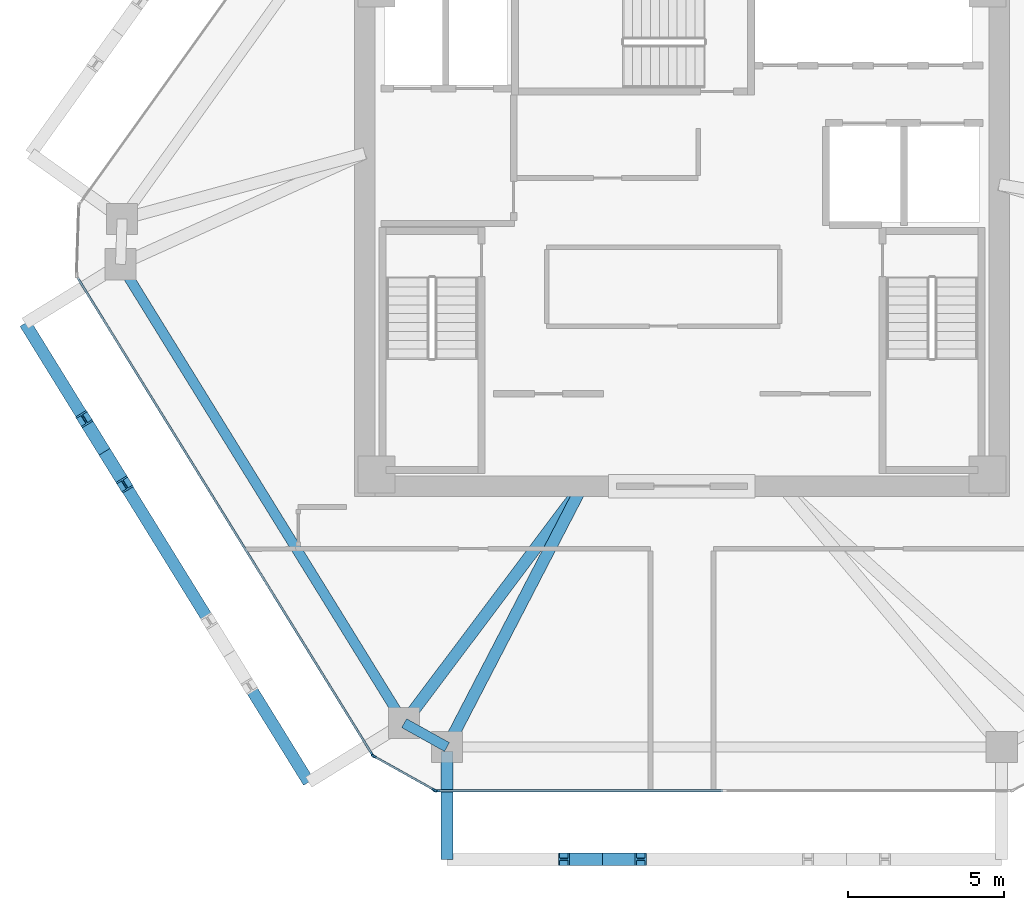
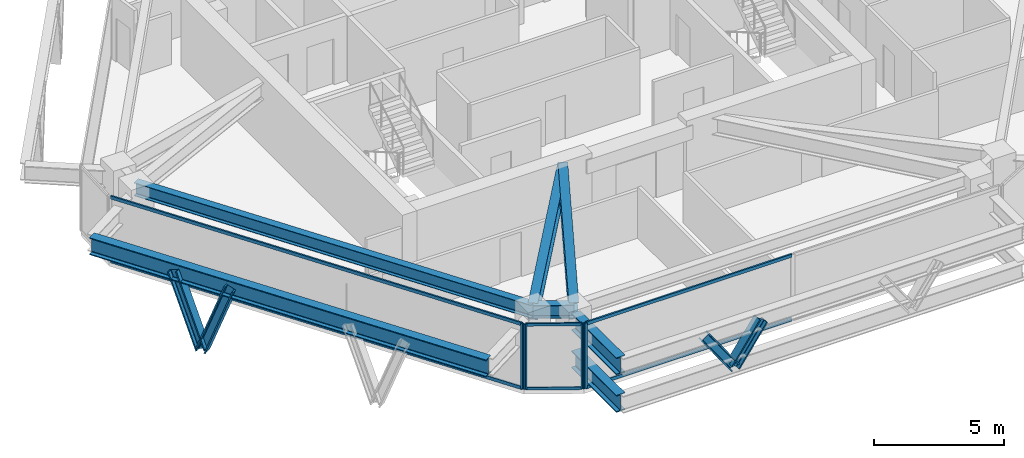
# One storey, part 2 of 11: 14 members, 7 beams, 3 elements without a shape of their own.
"""IFC4 building model written with IfcOpenShell, lengths in metres."""

from ifc_helpers import new_model, si_unit, direction, frame, origin, origin_2d, place, context, subcontext, project, spatial, rectangle, i_section, extrude, source, transform, mapped, material, layer, layer_set, material_profile, profile_set, type_object, type_shapes, element, aggregate, save


model = new_model("IFC4")

# Units and contexts
model_context = context("Model", 3, precision=1e-05, world=origin(), true_north=direction((0.0, 1.0)))
body_context = subcontext(model_context, "Body", "Model", "MODEL_VIEW")
ifc_project = project(units=[si_unit("LENGTHUNIT", "METRE"), si_unit("AREAUNIT", "SQUARE_METRE"), si_unit("VOLUMEUNIT", "CUBIC_METRE"), si_unit("PLANEANGLEUNIT", "RADIAN"), si_unit("MASSUNIT", "GRAM", prefix="KILO")], contexts=[model_context])

# Site, building, storey
site_placement = place(None, origin())
site = spatial("IfcSite", under=ifc_project, at=site_placement, CompositionType="ELEMENT")
building_placement = place(site_placement, origin())
building = spatial("IfcBuilding", under=site, at=building_placement, Name="Durnholm Broadcast Tower", CompositionType="ELEMENT")
storey_placement = place(building_placement, frame((0.0, 0.0, 170.5)))
storey = spatial("IfcBuildingStorey", under=building, at=storey_placement, Name="L46", CompositionType="ELEMENT", Elevation=170.5)

# Beams
ifc_material_1 = material(Name="Steel ASTM A992 Grade 50", Category="steel")
ifc_material_profile_1 = material_profile(ifc_material_1, i_section(OverallWidth=0.385009765625, OverallDepth=0.802978515625, WebThickness=0.023681640625, FlangeThickness=0.0419921875, FilletRadius=0.032958984375, at=origin_2d()), Name="W30X261")
ifc_profile_set_1 = profile_set([ifc_material_profile_1], Name="Steel ASTM A992 Grade 50")
beam_type_1 = type_object("IfcBeamType", Name="BM-EXO-TIE", PredefinedType="USERDEFINED", material=ifc_profile_set_1)
shared_shape_1 = source(origin(), body_context, "Body", "SweptSolid", [
    extrude(i_section(OverallWidth=0.385009765625, OverallDepth=0.802978515625, WebThickness=0.023681640625, FlangeThickness=0.0419921875, FilletRadius=0.032958984375, at=origin_2d()), origin(), (0.0, 0.0, 1.0), 3.4560546875),
])
for number, where, z_axis, x_axis, name in (
    (1, (-7.53955078125, -16.68603515625, 0.550048828125), (0.0, -1.0, 0.0), (1.0, 0.0, 0.0), "L46 zone-base exoskeleton stand-off tie bracket F1.1"),
    (2, (-7.53955078125, -16.68603515625, 2.30859375), (0.0, -1.0, 0.0), (1.0, 0.0, 0.0), "L46 exoskeleton stand-off tie bracket F1.1"),
):
    element("IfcBeam", number, at=place(storey_placement, frame(where, z_axis=z_axis, x_axis=x_axis)), inside=storey, type_object=beam_type_1, Name=name, ObjectType="GIRDER", PredefinedType="USERDEFINED", context=body_context, shape_type="MappedRepresentation", body=[
        mapped(shared_shape_1, transform((0.0, 0.0, 0.0), x_axis=(1.0, 0.0, 0.0), y_axis=(0.0, 1.0, 0.0), z_axis=(0.0, 0.0, 1.0), scale=1.0)),
    ])
ifc_material_profile_2 = material_profile(ifc_material_1, i_section(OverallWidth=0.3251953125, OverallDepth=0.6162109375, WebThickness=0.013916015625, FlangeThickness=0.021484375, FilletRadius=0.02783203125, at=origin_2d()), Name="W24X117")
ifc_profile_set_2 = profile_set([ifc_material_profile_2], Name="Steel ASTM A992 Grade 50")
beam_type_2 = type_object("IfcBeamType", Name="STL-SP-W24X117", PredefinedType="SPANDREL", material=ifc_profile_set_2)
shared_shape_2 = source(origin(), body_context, "Body", "SweptSolid", [
    extrude(i_section(OverallWidth=0.3251953125, OverallDepth=0.6162109375, WebThickness=0.013916015625, FlangeThickness=0.021484375, FilletRadius=0.02783203125, at=origin_2d()), origin(), (0.0, 0.0, 1.0), 17.3037109375),
])
beam_1_placement = place(storey_placement, frame((-8.91259765625, -15.7763671875, 2.73681640625), z_axis=(-0.525695324718, 0.850672925142, 0.0), x_axis=(-0.850672925142, -0.525695324718, 0.0)))
element("IfcBeam", 3, at=beam_1_placement, inside=storey, type_object=beam_type_2, Name="L46 perimeter spandrel girder 01", PredefinedType="SPANDREL", context=body_context, shape_type="MappedRepresentation", body=[
    mapped(shared_shape_2, transform((0.0, 0.0, 0.0), x_axis=(1.0, 0.0, 0.0), y_axis=(0.0, 1.0, 0.0), z_axis=(0.0, 0.0, 1.0), scale=1.0)),
])
shared_shape_3 = source(origin(), body_context, "Body", "SweptSolid", [
    extrude(i_section(OverallWidth=0.3251953125, OverallDepth=0.6162109375, WebThickness=0.013916015625, FlangeThickness=0.021484375, FilletRadius=0.02783203125, at=origin_2d()), origin(), (0.0, 0.0, 1.0), 1.572021484375),
])
type_shapes(beam_type_2, [shared_shape_2, shared_shape_3])
beam_2_placement = place(storey_placement, frame((-7.53955078125, -16.5419921875, 2.73681640625), z_axis=(-0.873394362663, 0.487013641769, 0.0), x_axis=(-0.487013641769, -0.873394362663, 0.0)))
element("IfcBeam", 4, at=beam_2_placement, inside=storey, type_object=beam_type_2, Name="L46 perimeter spandrel girder 12", PredefinedType="SPANDREL", context=body_context, shape_type="MappedRepresentation", body=[
    mapped(shared_shape_3, transform((0.0, 0.0, 0.0), x_axis=(1.0, 0.0, 0.0), y_axis=(0.0, 1.0, 0.0), z_axis=(0.0, 0.0, 1.0), scale=1.0)),
])
shared_shape_4 = source(origin(), body_context, "Body", "SweptSolid", [
    extrude(i_section(OverallWidth=0.385009765625, OverallDepth=0.802978515625, WebThickness=0.023681640625, FlangeThickness=0.0419921875, FilletRadius=0.032958984375, at=origin_2d()), origin(), (0.0, 0.0, 1.0), 17.303466796875),
])
type_shapes(beam_type_1, [shared_shape_1, shared_shape_4])
beam_3_placement = place(storey_placement, frame((-21.071533203125, -2.94921875, 2.30859375), z_axis=(0.525701634347, -0.850669025911, 0.0), x_axis=(0.850669025911, 0.525701634347, 0.0)))
element("IfcBeam", 5, at=beam_3_placement, inside=storey, type_object=beam_type_1, Name="L46 exoskeleton collector spandrel F6", PredefinedType="SPANDREL", context=body_context, shape_type="MappedRepresentation", body=[
    mapped(shared_shape_4, transform((0.0, 0.0, 0.0), x_axis=(1.0, 0.0, 0.0), y_axis=(0.0, 1.0, 0.0), z_axis=(0.0, 0.0, 1.0), scale=1.0)),
])
ifc_material_profile_3 = material_profile(ifc_material_1, i_section(OverallWidth=0.380615234375, OverallDepth=0.773193359375, WebThickness=0.0166015625, FlangeThickness=0.027099609375, FilletRadius=0.032958984375, at=origin_2d()), Name="W30X173")
ifc_profile_set_3 = profile_set([ifc_material_profile_3], Name="Steel ASTM A992 Grade 50")
beam_type_3 = type_object("IfcBeamType", Name="STL-GR-W30X173", PredefinedType="USERDEFINED", material=ifc_profile_set_3)
shared_shape_5 = source(origin(), body_context, "Body", "SweptSolid", [
    extrude(i_section(OverallWidth=0.380615234375, OverallDepth=0.773193359375, WebThickness=0.0166015625, FlangeThickness=0.027099609375, FilletRadius=0.032958984375, at=origin_2d()), origin(), (0.0, 0.0, 1.0), 9.508544921875),
])
beam_4_placement = place(storey_placement, frame((-3.199951171875, -8.175048828125, 2.658447265625), z_axis=(-0.600784359039, -0.799411129479, 0.0), x_axis=(0.799411129479, -0.600784359039, 0.0)))
element("IfcBeam", 6, at=beam_4_placement, inside=storey, type_object=beam_type_3, Name="L46 radial primary floor girder 01", ObjectType="GIRDER", PredefinedType="USERDEFINED", context=body_context, shape_type="MappedRepresentation", body=[
    mapped(shared_shape_5, transform((0.0, 0.0, 0.0), x_axis=(1.0, 0.0, 0.0), y_axis=(0.0, 1.0, 0.0), z_axis=(0.0, 0.0, 1.0), scale=1.0)),
])
shared_shape_6 = source(origin(), body_context, "Body", "SweptSolid", [
    extrude(i_section(OverallWidth=0.380615234375, OverallDepth=0.773193359375, WebThickness=0.0166015625, FlangeThickness=0.027099609375, FilletRadius=0.032958984375, at=origin_2d()), origin(), (0.0, 0.0, 1.0), 9.42529296875),
])
type_shapes(beam_type_3, [shared_shape_5, shared_shape_6])
beam_5_placement = place(storey_placement, frame((-3.199951171875, -8.175048828125, 2.658447265625), z_axis=(-0.460416206992, -0.887703169048, 0.0), x_axis=(0.887703169048, -0.460416206992, 0.0)))
element("IfcBeam", 7, at=beam_5_placement, inside=storey, type_object=beam_type_3, Name="L46 radial primary floor girder 12", ObjectType="GIRDER", PredefinedType="USERDEFINED", context=body_context, shape_type="MappedRepresentation", body=[
    mapped(shared_shape_6, transform((0.0, 0.0, 0.0), x_axis=(1.0, 0.0, 0.0), y_axis=(0.0, 1.0, 0.0), z_axis=(0.0, 0.0, 1.0), scale=1.0)),
])

# Members
ifc_material_2 = material(Name="Steel ASTM A913 Grade 65", Category="steel")
ifc_material_profile_4 = material_profile(ifc_material_2, i_section(OverallWidth=0.412109375, OverallDepth=0.434814453125, WebThickness=0.035888671875, FlangeThickness=0.057373046875, FilletRadius=0.030517578125, at=origin_2d()), Name="W14X311")
ifc_profile_set_4 = profile_set([ifc_material_profile_4], Name="Steel ASTM A913 Grade 65")
member_type_1 = type_object("IfcMemberType", Name="STL-DG-W14X311", PredefinedType="BRACE", material=ifc_profile_set_4)
shared_shape_7 = source(origin(), body_context, "Body", "SweptSolid", [
    extrude(i_section(OverallWidth=0.412109375, OverallDepth=0.434814453125, WebThickness=0.035888671875, FlangeThickness=0.057373046875, FilletRadius=0.030517578125, at=origin_2d()), origin(), (0.0, 0.0, 1.0), 3.523193359375),
])
for number, where, z_axis, x_axis, name in (
    (8, (-18.5244140625, -7.07080078125, -0.991455078125), (-0.18411903749, 0.297902800967, 0.936671821509), (-0.850644447398, -0.525741404219, 0.0), "L46 stand-off diagrid brace F6.D1.1"),
    (9, (-18.5244140625, -7.07080078125, -0.991455078125), (0.184052089489, -0.297906601172, 0.936683770188), (0.850732935913, 0.525598203719, 0.0), "L46 stand-off diagrid brace F6.D1.2"),
):
    element("IfcMember", number, at=place(storey_placement, frame(where, z_axis=z_axis, x_axis=x_axis)), inside=storey, type_object=member_type_1, Name=name, PredefinedType="BRACE", context=body_context, shape_type="MappedRepresentation", body=[
        mapped(shared_shape_7, transform((0.0, 0.0, 0.0), x_axis=(1.0, 0.0, 0.0), y_axis=(0.0, 1.0, 0.0), z_axis=(0.0, 0.0, 1.0), scale=1.0)),
    ])
shared_shape_8 = source(origin(), body_context, "Body", "SweptSolid", [
    extrude(i_section(OverallWidth=0.412109375, OverallDepth=0.434814453125, WebThickness=0.035888671875, FlangeThickness=0.057373046875, FilletRadius=0.030517578125, at=origin_2d()), origin(), (0.0, 0.0, 1.0), 2.148193359375),
])
type_shapes(member_type_1, [shared_shape_7, shared_shape_8])
for number, where, z_axis, x_axis, name in (
    (10, (-2.556640625, -20.14208984375, 0.550048828125), (-0.574293477354, 0.0, 0.818649498789), (0.0, -1.0, 0.0), "L46 stand-off diagrid brace F1.D1.1"),
    (11, (-2.556640625, -20.14208984375, 0.550048828125), (0.574369639306, 0.0, 0.818596064884), (0.0, 1.0, 0.0), "L46 stand-off diagrid brace F1.D1.2"),
):
    element("IfcMember", number, at=place(storey_placement, frame(where, z_axis=z_axis, x_axis=x_axis)), inside=storey, type_object=member_type_1, Name=name, PredefinedType="BRACE", context=body_context, shape_type="MappedRepresentation", body=[
        mapped(shared_shape_8, transform((0.0, 0.0, 0.0), x_axis=(1.0, 0.0, 0.0), y_axis=(0.0, 1.0, 0.0), z_axis=(0.0, 0.0, 1.0), scale=1.0)),
    ])

# Curtain wall, members
ifc_material_3 = material(Name="Aluminium and Solar Control IGU", Category="aluminium")
ifc_layer_1 = layer(ifc_material_3, 0.1650390625)
ifc_layer_set_1 = layer_set([ifc_layer_1], Name="Aluminium and Solar Control IGU")
curtain_wall_type_1 = type_object("IfcCurtainWallType", Name="CW-SYS-5", PredefinedType="NOTDEFINED", material=ifc_layer_set_1)
curtain_wall_1_placement = place(storey_placement, origin())
curtain_wall_1 = element("IfcCurtainWall", 12, at=curtain_wall_1_placement, inside=storey, type_object=curtain_wall_type_1, Name="L46 curtain wall CW-CORNER CW-L46-CRN-11", PredefinedType="NOTDEFINED")
ifc_material_4 = material(Name="Aluminium 6063-T6", Category="aluminium")
ifc_material_profile_5 = material_profile(ifc_material_4, rectangle(XDim=0.06494140625, YDim=0.1650390625, at=origin_2d()), Name="CWM65X165")
ifc_profile_set_5 = profile_set([ifc_material_profile_5], Name="Aluminium 6063-T6")
member_type_2 = type_object("IfcMemberType", Name="CW-SYS-5-MUL", PredefinedType="MULLION", material=ifc_profile_set_5)
shared_shape_9 = source(origin(), body_context, "Body", "SweptSolid", [
    extrude(rectangle(XDim=0.06494140625, YDim=0.1650390625, at=origin_2d()), origin(), (0.0, 0.0, 1.0), 3.06005859375),
])
type_shapes(member_type_2, [shared_shape_9])
member_1_placement = place(storey_placement, frame((-7.931884765625, -17.92626953125, 0.0), z_axis=(0.0, 0.0, 1.0), x_axis=(-0.486986043316, -0.873409751271, 0.0)))
member_1 = element("IfcMember", 13, at=member_1_placement, type_object=member_type_2, Name="CW-CORNER mullion 1", PredefinedType="MULLION", context=body_context, shape_type="MappedRepresentation", body=[
    mapped(shared_shape_9, transform((0.0, 0.0, 0.0), x_axis=(1.0, 0.0, 0.0), y_axis=(0.0, 1.0, 0.0), z_axis=(0.0, 0.0, 1.0), scale=1.0)),
])
member_2_placement = place(storey_placement, frame((-9.884033203125, -16.837646484375, 0.0), z_axis=(0.0, 0.0, 1.0), x_axis=(-0.486986043316, -0.873409751271, 0.0)))
member_2 = element("IfcMember", 14, at=member_2_placement, type_object=member_type_2, Name="CW-CORNER mullion 2", PredefinedType="MULLION", context=body_context, shape_type="MappedRepresentation", body=[
    mapped(shared_shape_9, transform((0.0, 0.0, 0.0), x_axis=(1.0, 0.0, 0.0), y_axis=(0.0, 1.0, 0.0), z_axis=(0.0, 0.0, 1.0), scale=1.0)),
])
ifc_material_profile_6 = material_profile(ifc_material_4, rectangle(XDim=0.06494140625, YDim=0.1298828125, at=origin_2d()), Name="CWT65X130")
ifc_profile_set_6 = profile_set([ifc_material_profile_6], Name="Aluminium 6063-T6")
member_type_3 = type_object("IfcMemberType", Name="CW-SYS-5-TRN", PredefinedType="USERDEFINED", material=ifc_profile_set_6)
shared_shape_10 = source(origin(), body_context, "Body", "SweptSolid", [
    extrude(rectangle(XDim=0.06494140625, YDim=0.1298828125, at=origin_2d()), origin(), (0.0, 0.0, 1.0), 2.169921875),
])
type_shapes(member_type_3, [shared_shape_10])
member_3_placement = place(storey_placement, frame((-7.960205078125, -17.910400390625, 0.032470703125), z_axis=(-0.873381360539, 0.487036958621, 0.0), x_axis=(-0.487036958621, -0.873381360539, 0.0)))
member_3 = element("IfcMember", 15, at=member_3_placement, type_object=member_type_3, Name="CW-CORNER transom 1.1", ObjectType="TRANSOM", PredefinedType="USERDEFINED", context=body_context, shape_type="MappedRepresentation", body=[
    mapped(shared_shape_10, transform((0.0, 0.0, 0.0), x_axis=(1.0, 0.0, 0.0), y_axis=(0.0, 1.0, 0.0), z_axis=(0.0, 0.0, 1.0), scale=1.0)),
])
member_4_placement = place(storey_placement, frame((-7.960205078125, -17.910400390625, 3.027587890625), z_axis=(-0.873381360539, 0.487036958621, 0.0), x_axis=(-0.487036958621, -0.873381360539, 0.0)))
member_4 = element("IfcMember", 16, at=member_4_placement, type_object=member_type_3, Name="CW-CORNER transom 1.2", ObjectType="TRANSOM", PredefinedType="USERDEFINED", context=body_context, shape_type="MappedRepresentation", body=[
    mapped(shared_shape_10, transform((0.0, 0.0, 0.0), x_axis=(1.0, 0.0, 0.0), y_axis=(0.0, 1.0, 0.0), z_axis=(0.0, 0.0, 1.0), scale=1.0)),
])
aggregate(curtain_wall_1, [member_1, member_2, member_3, member_4])

ifc_layer_2 = layer(ifc_material_3, 0.18994140625)
ifc_layer_set_2 = layer_set([ifc_layer_2], Name="Aluminium and Solar Control IGU")
curtain_wall_type_2 = type_object("IfcCurtainWallType", Name="CW-SYS-4", PredefinedType="NOTDEFINED", material=ifc_layer_set_2)
curtain_wall_2_placement = place(storey_placement, origin())
curtain_wall_2 = element("IfcCurtainWall", 17, at=curtain_wall_2_placement, inside=storey, type_object=curtain_wall_type_2, Name="L46 curtain wall CW-Z34-VIS CW-L46-F10", PredefinedType="NOTDEFINED")
ifc_material_profile_7 = material_profile(ifc_material_4, rectangle(XDim=0.070068359375, YDim=0.14990234375, at=origin_2d()), Name="CWT70X150")
ifc_profile_set_7 = profile_set([ifc_material_profile_7], Name="Aluminium 6063-T6")
member_type_4 = type_object("IfcMemberType", Name="CW-SYS-4-TRN", PredefinedType="USERDEFINED", material=ifc_profile_set_7)
shared_shape_11 = source(origin(), body_context, "Body", "SweptSolid", [
    extrude(rectangle(XDim=0.070068359375, YDim=0.14990234375, at=origin_2d()), origin(), (0.0, 0.0, 1.0), 9.14453125),
])
member_5_placement = place(storey_placement, frame((1.31103515625, -17.94189453125, 0.034912109375), z_axis=(-1.0, 0.0, 0.0), x_axis=(0.0, -1.0, 0.0)))
member_5 = element("IfcMember", 18, at=member_5_placement, type_object=member_type_4, Name="CW-Z34-VIS transom 2.1", ObjectType="TRANSOM", PredefinedType="USERDEFINED", context=body_context, shape_type="MappedRepresentation", body=[
    mapped(shared_shape_11, transform((0.0, 0.0, 0.0), x_axis=(1.0, 0.0, 0.0), y_axis=(0.0, 1.0, 0.0), z_axis=(0.0, 0.0, 1.0), scale=1.0)),
])
member_6_placement = place(storey_placement, frame((1.31103515625, -17.94189453125, 3.02490234375), z_axis=(-1.0, 0.0, 0.0), x_axis=(0.0, -1.0, 0.0)))
member_6 = element("IfcMember", 19, at=member_6_placement, type_object=member_type_4, Name="CW-Z34-VIS transom 2.2", ObjectType="TRANSOM", PredefinedType="USERDEFINED", context=body_context, shape_type="MappedRepresentation", body=[
    mapped(shared_shape_11, transform((0.0, 0.0, 0.0), x_axis=(1.0, 0.0, 0.0), y_axis=(0.0, 1.0, 0.0), z_axis=(0.0, 0.0, 1.0), scale=1.0)),
])

curtain_wall_3_placement = place(storey_placement, origin())
curtain_wall_3 = element("IfcCurtainWall", 20, at=curtain_wall_3_placement, inside=storey, type_object=curtain_wall_type_2, Name="L46 curtain wall CW-Z34-VIS CW-L46-F12", PredefinedType="NOTDEFINED")
shared_shape_12 = source(origin(), body_context, "Body", "SweptSolid", [
    extrude(rectangle(XDim=0.070068359375, YDim=0.14990234375, at=origin_2d()), origin(), (0.0, 0.0, 1.0), 17.951171875),
])
type_shapes(member_type_4, [shared_shape_11, shared_shape_12])
member_7_placement = place(storey_placement, frame((-9.94921875, -16.762451171875, 0.034912109375), z_axis=(-0.525693813807, 0.850673858847, 0.0), x_axis=(-0.850673858847, -0.525693813807, 0.0)))
member_7 = element("IfcMember", 21, at=member_7_placement, type_object=member_type_4, Name="CW-Z34-VIS transom 1.1", ObjectType="TRANSOM", PredefinedType="USERDEFINED", context=body_context, shape_type="MappedRepresentation", body=[
    mapped(shared_shape_12, transform((0.0, 0.0, 0.0), x_axis=(1.0, 0.0, 0.0), y_axis=(0.0, 1.0, 0.0), z_axis=(0.0, 0.0, 1.0), scale=1.0)),
])
member_8_placement = place(storey_placement, frame((-9.94921875, -16.762451171875, 3.02490234375), z_axis=(-0.525693813807, 0.850673858847, 0.0), x_axis=(-0.850673858847, -0.525693813807, 0.0)))
member_8 = element("IfcMember", 22, at=member_8_placement, type_object=member_type_4, Name="CW-Z34-VIS transom 1.2", ObjectType="TRANSOM", PredefinedType="USERDEFINED", context=body_context, shape_type="MappedRepresentation", body=[
    mapped(shared_shape_12, transform((0.0, 0.0, 0.0), x_axis=(1.0, 0.0, 0.0), y_axis=(0.0, 1.0, 0.0), z_axis=(0.0, 0.0, 1.0), scale=1.0)),
])

# Member
ifc_material_profile_8 = material_profile(ifc_material_4, rectangle(XDim=0.070068359375, YDim=0.18994140625, at=origin_2d()), Name="CWM70X190")
ifc_profile_set_8 = profile_set([ifc_material_profile_8], Name="Aluminium 6063-T6")
member_type_5 = type_object("IfcMemberType", Name="CW-SYS-4-MUL", PredefinedType="MULLION", material=ifc_profile_set_8)
shared_shape_13 = source(origin(), body_context, "Body", "SweptSolid", [
    extrude(rectangle(XDim=0.070068359375, YDim=0.18994140625, at=origin_2d()), origin(), (0.0, 0.0, 1.0), 3.06005859375),
])
type_shapes(member_type_5, [shared_shape_13])
member_9_placement = place(storey_placement, frame((-7.868408203125, -17.94189453125, 0.0), z_axis=(0.0, 0.0, 1.0), x_axis=(0.0, -1.0, 0.0)))
member_9 = element("IfcMember", 23, at=member_9_placement, type_object=member_type_5, Name="CW-Z34-VIS mullion 3", PredefinedType="MULLION", context=body_context, shape_type="MappedRepresentation", body=[
    mapped(shared_shape_13, transform((0.0, 0.0, 0.0), x_axis=(1.0, 0.0, 0.0), y_axis=(0.0, 1.0, 0.0), z_axis=(0.0, 0.0, 1.0), scale=1.0)),
])

aggregate(curtain_wall_2, [member_9, member_5, member_6])

member_10_placement = place(storey_placement, frame((-9.9306640625, -16.792236328125, 0.0), z_axis=(0.0, 0.0, 1.0), x_axis=(-0.850671426092, -0.525697750452, 0.0)))
member_10 = element("IfcMember", 24, at=member_10_placement, type_object=member_type_5, Name="CW-Z34-VIS mullion 1", PredefinedType="MULLION", context=body_context, shape_type="MappedRepresentation", body=[
    mapped(shared_shape_13, transform((0.0, 0.0, 0.0), x_axis=(1.0, 0.0, 0.0), y_axis=(0.0, 1.0, 0.0), z_axis=(0.0, 0.0, 1.0), scale=1.0)),
])

aggregate(curtain_wall_3, [member_10, member_7, member_8])

save(model, "model.ifc")
